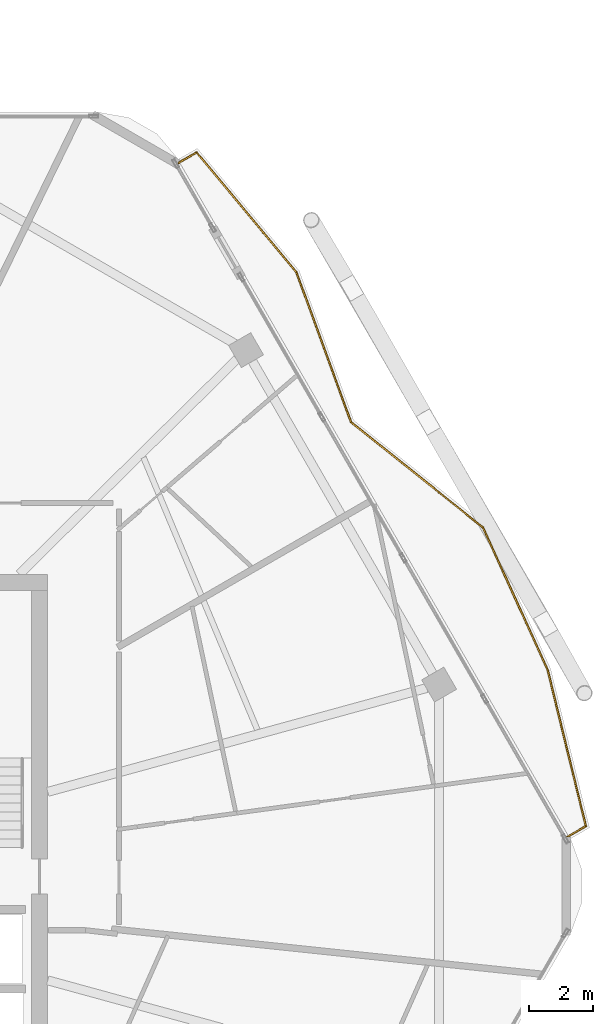
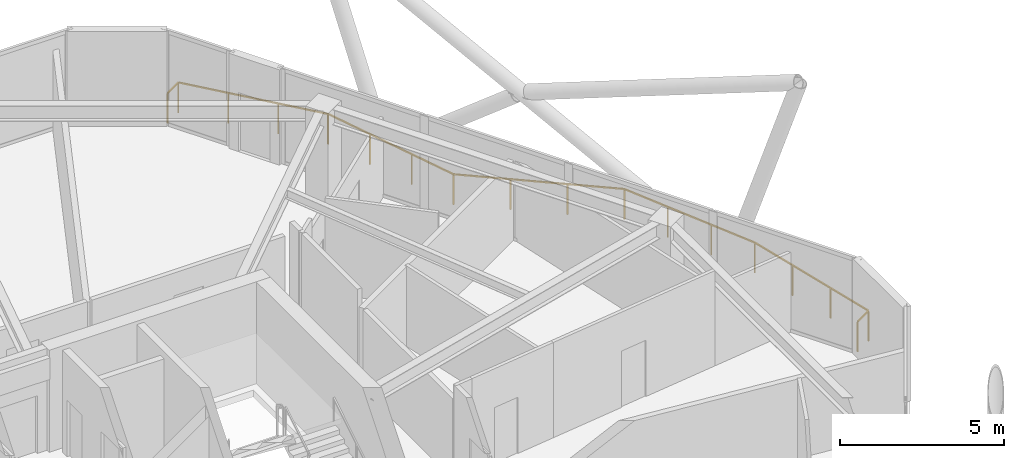
# One storey, part 24 of 24: 1 railing.
"""IFC4 building model written with IfcOpenShell, lengths in metres."""

from ifc_helpers import new_model, si_unit, direction, frame, origin, origin_2d, place, context, subcontext, project, spatial, rectangle, extrude, material, type_object, element, save


model = new_model("IFC4")

# Units and contexts
model_context = context("Model", 3, precision=1e-05, world=origin(), true_north=direction((0.0, 1.0)))
body_context = subcontext(model_context, "Body", "Model", "MODEL_VIEW")
ifc_project = project(units=[si_unit("LENGTHUNIT", "METRE"), si_unit("AREAUNIT", "SQUARE_METRE"), si_unit("VOLUMEUNIT", "CUBIC_METRE"), si_unit("PLANEANGLEUNIT", "RADIAN"), si_unit("MASSUNIT", "GRAM", prefix="KILO")], contexts=[model_context])

# Site, building, storey
site_placement = place(None, origin())
site = spatial("IfcSite", under=ifc_project, at=site_placement, CompositionType="ELEMENT")
building_placement = place(site_placement, origin())
building = spatial("IfcBuilding", under=site, at=building_placement, Name="Zuhravey Tower", CompositionType="ELEMENT")
storey_placement = place(building_placement, frame((0.0, 0.0, 308.199951171875)))
storey = spatial("IfcBuildingStorey", under=building, at=storey_placement, Name="L78", CompositionType="ELEMENT", Elevation=308.199951171875)

# Railing
ifc_material = material(Name="Stainless steel 316 and laminated glass", Category="steel")
railing_type = type_object("IfcRailingType", Name="Balcony & Terrace Guardrail 1150", PredefinedType="BALUSTRADE", material=ifc_material)
railing_placement = place(storey_placement, frame((50.83837890625, 54.617431640625, 0.0)))
element("IfcRailing", 1, at=railing_placement, inside=storey, type_object=railing_type, Name="L78 Face 1 Wave Balcony Guardrail GR1", PredefinedType="BALUSTRADE", context=body_context, shape_type="SweptSolid", body=[
    extrude(rectangle(XDim=0.048095703125, YDim=0.048095703125, at=origin_2d()), frame((0.001708984375, 0.0009765625, 1.1259765625), z_axis=(0.866011978186, 0.500023253097, 0.0), x_axis=(-0.500023253097, 0.866011978186, 0.0)), (0.0, 0.0, 1.0), 0.651611328125),
    extrude(rectangle(XDim=0.048095703125, YDim=0.048095703125, at=origin_2d()), frame((0.569091796875, 0.326416015625, 1.1259765625), z_axis=(0.640277921962, -0.768143334703, 0.0), x_axis=(0.768143334703, 0.640277921962, 0.0)), (0.0, 0.0, 1.0), 4.87451171875),
    extrude(rectangle(XDim=0.048095703125, YDim=0.048095703125, at=origin_2d()), frame((3.692138671875, -3.42138671875, 1.1259765625), z_axis=(0.342406440794, -0.939551930072, 0.0), x_axis=(0.939551930072, 0.342406440794, 0.0)), (0.0, 0.0, 1.0), 4.9892578125),
    extrude(rectangle(XDim=0.048095703125, YDim=0.048095703125, at=origin_2d()), frame((5.402587890625, -8.112060546875, 1.1259765625), z_axis=(0.781996119501, -0.623283297614, 0.0), x_axis=(0.623283297614, 0.781996119501, 0.0)), (0.0, 0.0, 1.0), 5.272216796875),
    extrude(rectangle(XDim=0.048095703125, YDim=0.048095703125, at=origin_2d()), frame((9.52783203125, -11.401123046875, 1.1259765625), z_axis=(0.413096742766, -0.910687147772, 0.0), x_axis=(0.910687147772, 0.413096742766, 0.0)), (0.0, 0.0, 1.0), 4.8935546875),
    extrude(rectangle(XDim=0.048095703125, YDim=0.048095703125, at=origin_2d()), frame((11.55078125, -15.861572265625, 1.1259765625), z_axis=(0.237459200092, -0.971397513015, 0.0), x_axis=(0.971397513015, 0.237459200092, 0.0)), (0.0, 0.0, 1.0), 5.023681640625),
    extrude(rectangle(XDim=0.048095703125, YDim=0.048095703125, at=origin_2d()), frame((12.742431640625, -20.744384765625, 1.1259765625), z_axis=(-0.866020521143, -0.500008456887, 0.0), x_axis=(0.500008456887, -0.866020521143, 0.0)), (0.0, 0.0, 1.0), 0.6611328125),
    extrude(rectangle(XDim=0.0419921875, YDim=0.0419921875, at=origin_2d()), origin(), (0.0, 0.0, 1.0), 1.099853515625),
    extrude(rectangle(XDim=0.0419921875, YDim=0.0419921875, at=origin_2d()), frame((0.56787109375, 0.327880859375, 0.0)), (0.0, 0.0, 1.0), 1.099853515625),
    extrude(rectangle(XDim=0.0419921875, YDim=0.0419921875, at=origin_2d()), frame((1.609130859375, -0.921142578125, 0.0)), (0.0, 0.0, 1.0), 1.099853515625),
    extrude(rectangle(XDim=0.0419921875, YDim=0.0419921875, at=origin_2d()), frame((2.650146484375, -2.17041015625, 0.0)), (0.0, 0.0, 1.0), 1.099853515625),
    extrude(rectangle(XDim=0.0419921875, YDim=0.0419921875, at=origin_2d()), frame((3.69140625, -3.41943359375, 0.0)), (0.0, 0.0, 1.0), 1.099853515625),
    extrude(rectangle(XDim=0.0419921875, YDim=0.0419921875, at=origin_2d()), frame((4.26123046875, -4.983154296875, 0.0)), (0.0, 0.0, 1.0), 1.099853515625),
    extrude(rectangle(XDim=0.0419921875, YDim=0.0419921875, at=origin_2d()), frame((4.831298828125, -6.547119140625, 0.0)), (0.0, 0.0, 1.0), 1.099853515625),
    extrude(rectangle(XDim=0.0419921875, YDim=0.0419921875, at=origin_2d()), frame((5.401123046875, -8.11083984375, 0.0)), (0.0, 0.0, 1.0), 1.099853515625),
    extrude(rectangle(XDim=0.0419921875, YDim=0.0419921875, at=origin_2d()), frame((6.7763671875, -9.20703125, 0.0)), (0.0, 0.0, 1.0), 1.099853515625),
    extrude(rectangle(XDim=0.0419921875, YDim=0.0419921875, at=origin_2d()), frame((8.15185546875, -10.30322265625, 0.0)), (0.0, 0.0, 1.0), 1.099853515625),
    extrude(rectangle(XDim=0.0419921875, YDim=0.0419921875, at=origin_2d()), frame((9.527099609375, -11.3994140625, 0.0)), (0.0, 0.0, 1.0), 1.099853515625),
    extrude(rectangle(XDim=0.0419921875, YDim=0.0419921875, at=origin_2d()), frame((10.201416015625, -12.88623046875, 0.0)), (0.0, 0.0, 1.0), 1.099853515625),
    extrude(rectangle(XDim=0.0419921875, YDim=0.0419921875, at=origin_2d()), frame((10.8759765625, -14.372802734375, 0.0)), (0.0, 0.0, 1.0), 1.099853515625),
    extrude(rectangle(XDim=0.0419921875, YDim=0.0419921875, at=origin_2d()), frame((11.55029296875, -15.859619140625, 0.0)), (0.0, 0.0, 1.0), 1.099853515625),
    extrude(rectangle(XDim=0.0419921875, YDim=0.0419921875, at=origin_2d()), frame((11.9482421875, -17.487548828125, 0.0)), (0.0, 0.0, 1.0), 1.099853515625),
    extrude(rectangle(XDim=0.0419921875, YDim=0.0419921875, at=origin_2d()), frame((12.34619140625, -19.115478515625, 0.0)), (0.0, 0.0, 1.0), 1.099853515625),
    extrude(rectangle(XDim=0.0419921875, YDim=0.0419921875, at=origin_2d()), frame((12.744140625, -20.743408203125, 0.0)), (0.0, 0.0, 1.0), 1.099853515625),
    extrude(rectangle(XDim=0.0419921875, YDim=0.0419921875, at=origin_2d()), frame((12.168212890625, -21.075927734375, 0.0)), (0.0, 0.0, 1.0), 1.099853515625),
])

save(model, "model.ifc")
